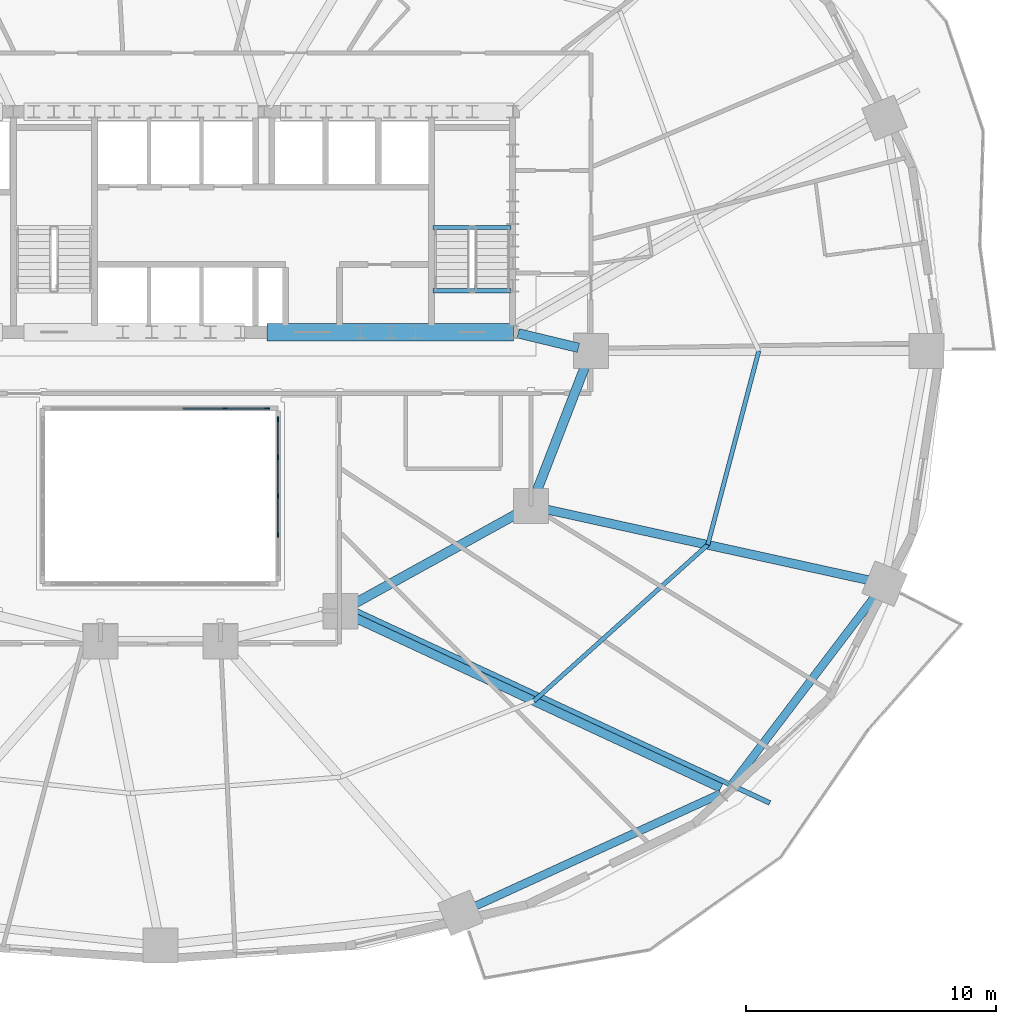
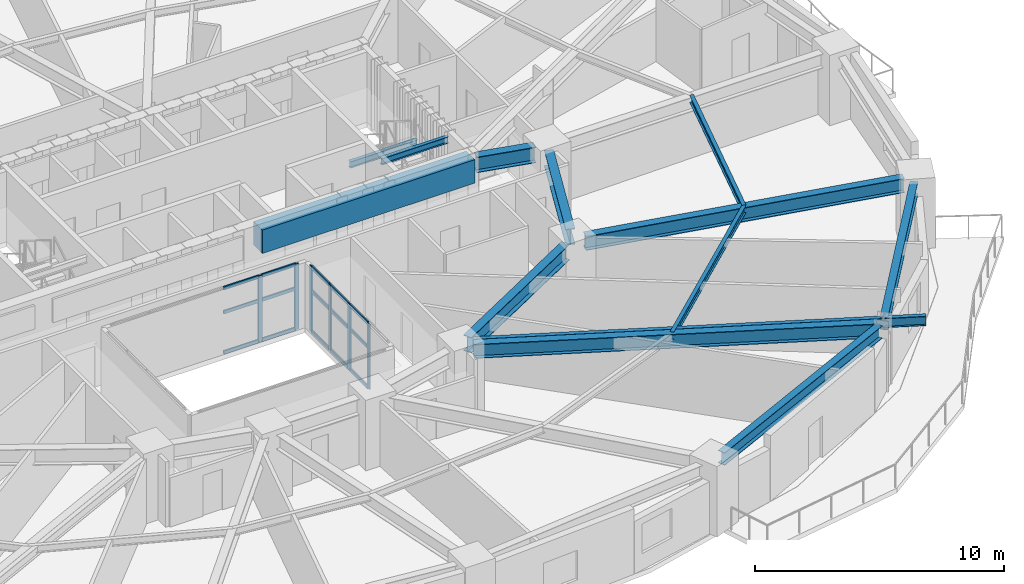
# One storey, part 6 of 17: 21 members, 13 beams, 2 elements without a shape of their own.
"""IFC4 building model written with IfcOpenShell, lengths in metres."""

from ifc_helpers import new_model, si_unit, direction, frame, origin, origin_2d, place, context, subcontext, project, spatial, rectangle, i_section, extrude, material, material_profile, profile_set, type_object, element, aggregate, save


model = new_model("IFC4")

# Units and contexts
model_context = context("Model", 3, precision=1e-05, world=origin(), true_north=direction((0.0, 1.0)))
body_context = subcontext(model_context, "Body", "Model", "MODEL_VIEW")
ifc_project = project(units=[si_unit("LENGTHUNIT", "METRE"), si_unit("AREAUNIT", "SQUARE_METRE"), si_unit("VOLUMEUNIT", "CUBIC_METRE"), si_unit("PLANEANGLEUNIT", "RADIAN"), si_unit("MASSUNIT", "GRAM", prefix="KILO")], contexts=[model_context])

# Site, building, storey
site_placement = place(None, origin())
site = spatial("IfcSite", under=ifc_project, at=site_placement, CompositionType="ELEMENT")
building_placement = place(site_placement, origin())
building = spatial("IfcBuilding", under=site, at=building_placement, Name="Haldorwick Loom Tower", CompositionType="ELEMENT")
storey_placement = place(building_placement, frame((0.0, 0.0, 34.35009765625)))
storey = spatial("IfcBuildingStorey", under=building, at=storey_placement, Name="L08", CompositionType="ELEMENT", Elevation=34.35009765625)

# Curtain wall, members
ifc_material_1 = material(Name="Thermally Broken Anodized Aluminium Curtain Wall Framing", Category="aluminium")
curtain_wall_type = type_object("IfcCurtainWallType", Name="ARC-CW-03", PredefinedType="NOTDEFINED", material=ifc_material_1)
curtain_wall_1_placement = place(storey_placement, origin())
curtain_wall_1 = element("IfcCurtainWall", 1, at=curtain_wall_1_placement, inside=storey, type_object=curtain_wall_type, Name="L08 Atrium Glazed Screen N", PredefinedType="NOTDEFINED")
ifc_material_profile_1 = material_profile(ifc_material_1, rectangle(XDim=0.06591796875, YDim=0.18505859375, at=origin_2d()), Name="ALU_MUL_66X185", Category="aluminium")
ifc_profile_set_1 = profile_set([ifc_material_profile_1], Name="Thermally Broken Anodized Aluminium Curtain Wall Framing")
member_type_1 = type_object("IfcMemberType", Name="ARC-CWM-03", PredefinedType="MULLION", material=ifc_profile_set_1)
member_1_placement = place(storey_placement, frame((38.580078125, 23.699951171875, 0.0), z_axis=(0.0, 0.0, 1.0), x_axis=(0.0, 1.0, 0.0)))
member_1 = element("IfcMember", 2, at=member_1_placement, type_object=member_type_1, Name="CW-03 mullion 5", PredefinedType="MULLION", context=body_context, shape_type="SweptSolid", body=[
    extrude(rectangle(XDim=0.06591796875, YDim=0.18505859375, at=origin_2d()), origin(), (0.0, 0.0, 1.0), 3.2099609375),
])
member_2_placement = place(storey_placement, frame((40.26708984375, 23.699951171875, 0.0), z_axis=(0.0, 0.0, 1.0), x_axis=(0.0, 1.0, 0.0)))
member_2 = element("IfcMember", 3, at=member_2_placement, type_object=member_type_1, Name="CW-03 mullion 6", PredefinedType="MULLION", context=body_context, shape_type="SweptSolid", body=[
    extrude(rectangle(XDim=0.06591796875, YDim=0.18505859375, at=origin_2d()), origin(), (0.0, 0.0, 1.0), 3.2099609375),
])

curtain_wall_2_placement = place(storey_placement, origin())
curtain_wall_2 = element("IfcCurtainWall", 4, at=curtain_wall_2_placement, inside=storey, type_object=curtain_wall_type, Name="L08 Atrium Glazed Screen E", PredefinedType="NOTDEFINED")
member_3_placement = place(storey_placement, frame((40.699951171875, 23.26708984375, 0.0), z_axis=(0.0, 0.0, 1.0), x_axis=(1.0, 0.0, 0.0)))
member_3 = element("IfcMember", 5, at=member_3_placement, type_object=member_type_1, Name="CW-03 mullion 1", PredefinedType="MULLION", context=body_context, shape_type="SweptSolid", body=[
    extrude(rectangle(XDim=0.06591796875, YDim=0.18505859375, at=origin_2d()), origin(), (0.0, 0.0, 1.0), 3.2099609375),
])
member_4_placement = place(storey_placement, frame((40.699951171875, 21.75, 0.0), z_axis=(0.0, 0.0, 1.0), x_axis=(1.0, 0.0, 0.0)))
member_4 = element("IfcMember", 6, at=member_4_placement, type_object=member_type_1, Name="CW-03 mullion 2", PredefinedType="MULLION", context=body_context, shape_type="SweptSolid", body=[
    extrude(rectangle(XDim=0.06591796875, YDim=0.18505859375, at=origin_2d()), origin(), (0.0, 0.0, 1.0), 3.2099609375),
])
member_5_placement = place(storey_placement, frame((40.699951171875, 20.199951171875, 0.0), z_axis=(0.0, 0.0, 1.0), x_axis=(1.0, 0.0, 0.0)))
member_5 = element("IfcMember", 7, at=member_5_placement, type_object=member_type_1, Name="CW-03 mullion 3", PredefinedType="MULLION", context=body_context, shape_type="SweptSolid", body=[
    extrude(rectangle(XDim=0.06591796875, YDim=0.18505859375, at=origin_2d()), origin(), (0.0, 0.0, 1.0), 3.2099609375),
])
member_6_placement = place(storey_placement, frame((40.699951171875, 18.64990234375, 0.0), z_axis=(0.0, 0.0, 1.0), x_axis=(1.0, 0.0, 0.0)))
member_6 = element("IfcMember", 8, at=member_6_placement, type_object=member_type_1, Name="CW-03 mullion 4", PredefinedType="MULLION", context=body_context, shape_type="SweptSolid", body=[
    extrude(rectangle(XDim=0.06591796875, YDim=0.18505859375, at=origin_2d()), origin(), (0.0, 0.0, 1.0), 3.2099609375),
])

# Member
ifc_material_profile_2 = material_profile(ifc_material_1, rectangle(XDim=0.06591796875, YDim=0.1650390625, at=origin_2d()), Name="ALU_TRN_66X165", Category="aluminium")
ifc_profile_set_2 = profile_set([ifc_material_profile_2], Name="Thermally Broken Anodized Aluminium Curtain Wall Framing")
member_type_2 = type_object("IfcMemberType", Name="ARC-CWT-03", PredefinedType="USERDEFINED", material=ifc_profile_set_2)
member_7_placement = place(storey_placement, frame((36.89306640625, 23.699951171875, 0.032958984375), z_axis=(1.0, 0.0, 0.0), x_axis=(0.0, 1.0, 0.0)))
member_7 = element("IfcMember", 9, at=member_7_placement, type_object=member_type_2, Name="CW-03 transom 4.1", ObjectType="TRANSOM", PredefinedType="USERDEFINED", context=body_context, shape_type="SweptSolid", body=[
    extrude(rectangle(XDim=0.06591796875, YDim=0.1650390625, at=origin_2d()), origin(), (0.0, 0.0, 1.0), 1.654052734375),
])

member_8_placement = place(storey_placement, frame((36.89306640625, 23.699951171875, 2.0), z_axis=(1.0, 0.0, 0.0), x_axis=(0.0, 1.0, 0.0)))
member_8 = element("IfcMember", 10, at=member_8_placement, type_object=member_type_2, Name="CW-03 transom 4.2", ObjectType="TRANSOM", PredefinedType="USERDEFINED", context=body_context, shape_type="SweptSolid", body=[
    extrude(rectangle(XDim=0.06591796875, YDim=0.1650390625, at=origin_2d()), origin(), (0.0, 0.0, 1.0), 1.654052734375),
])

member_9_placement = place(storey_placement, frame((36.89306640625, 23.699951171875, 3.177001953125), z_axis=(1.0, 0.0, 0.0), x_axis=(0.0, 1.0, 0.0)))
member_9 = element("IfcMember", 11, at=member_9_placement, type_object=member_type_2, Name="CW-03 transom 4.3", ObjectType="TRANSOM", PredefinedType="USERDEFINED", context=body_context, shape_type="SweptSolid", body=[
    extrude(rectangle(XDim=0.06591796875, YDim=0.1650390625, at=origin_2d()), origin(), (0.0, 0.0, 1.0), 1.654052734375),
])

member_10_placement = place(storey_placement, frame((38.613037109375, 23.699951171875, 0.032958984375), z_axis=(1.0, 0.0, 0.0), x_axis=(0.0, 1.0, 0.0)))
member_10 = element("IfcMember", 12, at=member_10_placement, type_object=member_type_2, Name="CW-03 transom 5.1", ObjectType="TRANSOM", PredefinedType="USERDEFINED", context=body_context, shape_type="SweptSolid", body=[
    extrude(rectangle(XDim=0.06591796875, YDim=0.1650390625, at=origin_2d()), origin(), (0.0, 0.0, 1.0), 1.620849609375),
])

member_11_placement = place(storey_placement, frame((38.613037109375, 23.699951171875, 2.0), z_axis=(1.0, 0.0, 0.0), x_axis=(0.0, 1.0, 0.0)))
member_11 = element("IfcMember", 13, at=member_11_placement, type_object=member_type_2, Name="CW-03 transom 5.2", ObjectType="TRANSOM", PredefinedType="USERDEFINED", context=body_context, shape_type="SweptSolid", body=[
    extrude(rectangle(XDim=0.06591796875, YDim=0.1650390625, at=origin_2d()), origin(), (0.0, 0.0, 1.0), 1.620849609375),
])

member_12_placement = place(storey_placement, frame((38.613037109375, 23.699951171875, 3.177001953125), z_axis=(1.0, 0.0, 0.0), x_axis=(0.0, 1.0, 0.0)))
member_12 = element("IfcMember", 14, at=member_12_placement, type_object=member_type_2, Name="CW-03 transom 5.3", ObjectType="TRANSOM", PredefinedType="USERDEFINED", context=body_context, shape_type="SweptSolid", body=[
    extrude(rectangle(XDim=0.06591796875, YDim=0.1650390625, at=origin_2d()), origin(), (0.0, 0.0, 1.0), 1.620849609375),
])

aggregate(curtain_wall_1, [member_1, member_2, member_7, member_8, member_9, member_10, member_11, member_12])

member_13_placement = place(storey_placement, frame((40.699951171875, 23.23388671875, 0.032958984375), z_axis=(0.0, -1.0, 0.0), x_axis=(1.0, 0.0, 0.0)))
member_13 = element("IfcMember", 15, at=member_13_placement, type_object=member_type_2, Name="CW-03 transom 1.1", ObjectType="TRANSOM", PredefinedType="USERDEFINED", context=body_context, shape_type="SweptSolid", body=[
    extrude(rectangle(XDim=0.06591796875, YDim=0.1650390625, at=origin_2d()), origin(), (0.0, 0.0, 1.0), 1.450927734375),
])

member_14_placement = place(storey_placement, frame((40.699951171875, 23.23388671875, 2.0), z_axis=(0.0, -1.0, 0.0), x_axis=(1.0, 0.0, 0.0)))
member_14 = element("IfcMember", 16, at=member_14_placement, type_object=member_type_2, Name="CW-03 transom 1.2", ObjectType="TRANSOM", PredefinedType="USERDEFINED", context=body_context, shape_type="SweptSolid", body=[
    extrude(rectangle(XDim=0.06591796875, YDim=0.1650390625, at=origin_2d()), origin(), (0.0, 0.0, 1.0), 1.450927734375),
])

member_15_placement = place(storey_placement, frame((40.699951171875, 23.23388671875, 3.177001953125), z_axis=(0.0, -1.0, 0.0), x_axis=(1.0, 0.0, 0.0)))
member_15 = element("IfcMember", 17, at=member_15_placement, type_object=member_type_2, Name="CW-03 transom 1.3", ObjectType="TRANSOM", PredefinedType="USERDEFINED", context=body_context, shape_type="SweptSolid", body=[
    extrude(rectangle(XDim=0.06591796875, YDim=0.1650390625, at=origin_2d()), origin(), (0.0, 0.0, 1.0), 1.450927734375),
])

member_16_placement = place(storey_placement, frame((40.699951171875, 21.717041015625, 0.032958984375), z_axis=(0.0, -1.0, 0.0), x_axis=(1.0, 0.0, 0.0)))
member_16 = element("IfcMember", 18, at=member_16_placement, type_object=member_type_2, Name="CW-03 transom 2.1", ObjectType="TRANSOM", PredefinedType="USERDEFINED", context=body_context, shape_type="SweptSolid", body=[
    extrude(rectangle(XDim=0.06591796875, YDim=0.1650390625, at=origin_2d()), origin(), (0.0, 0.0, 1.0), 1.484130859375),
])

member_17_placement = place(storey_placement, frame((40.699951171875, 21.717041015625, 2.0), z_axis=(0.0, -1.0, 0.0), x_axis=(1.0, 0.0, 0.0)))
member_17 = element("IfcMember", 19, at=member_17_placement, type_object=member_type_2, Name="CW-03 transom 2.2", ObjectType="TRANSOM", PredefinedType="USERDEFINED", context=body_context, shape_type="SweptSolid", body=[
    extrude(rectangle(XDim=0.06591796875, YDim=0.1650390625, at=origin_2d()), origin(), (0.0, 0.0, 1.0), 1.484130859375),
])

member_18_placement = place(storey_placement, frame((40.699951171875, 21.717041015625, 3.177001953125), z_axis=(0.0, -1.0, 0.0), x_axis=(1.0, 0.0, 0.0)))
member_18 = element("IfcMember", 20, at=member_18_placement, type_object=member_type_2, Name="CW-03 transom 2.3", ObjectType="TRANSOM", PredefinedType="USERDEFINED", context=body_context, shape_type="SweptSolid", body=[
    extrude(rectangle(XDim=0.06591796875, YDim=0.1650390625, at=origin_2d()), origin(), (0.0, 0.0, 1.0), 1.484130859375),
])

member_19_placement = place(storey_placement, frame((40.699951171875, 20.1669921875, 0.032958984375), z_axis=(0.0, -1.0, 0.0), x_axis=(1.0, 0.0, 0.0)))
member_19 = element("IfcMember", 21, at=member_19_placement, type_object=member_type_2, Name="CW-03 transom 3.1", ObjectType="TRANSOM", PredefinedType="USERDEFINED", context=body_context, shape_type="SweptSolid", body=[
    extrude(rectangle(XDim=0.06591796875, YDim=0.1650390625, at=origin_2d()), origin(), (0.0, 0.0, 1.0), 1.48388671875),
])

member_20_placement = place(storey_placement, frame((40.699951171875, 20.1669921875, 2.0), z_axis=(0.0, -1.0, 0.0), x_axis=(1.0, 0.0, 0.0)))
member_20 = element("IfcMember", 22, at=member_20_placement, type_object=member_type_2, Name="CW-03 transom 3.2", ObjectType="TRANSOM", PredefinedType="USERDEFINED", context=body_context, shape_type="SweptSolid", body=[
    extrude(rectangle(XDim=0.06591796875, YDim=0.1650390625, at=origin_2d()), origin(), (0.0, 0.0, 1.0), 1.48388671875),
])

member_21_placement = place(storey_placement, frame((40.699951171875, 20.1669921875, 3.177001953125), z_axis=(0.0, -1.0, 0.0), x_axis=(1.0, 0.0, 0.0)))
member_21 = element("IfcMember", 23, at=member_21_placement, type_object=member_type_2, Name="CW-03 transom 3.3", ObjectType="TRANSOM", PredefinedType="USERDEFINED", context=body_context, shape_type="SweptSolid", body=[
    extrude(rectangle(XDim=0.06591796875, YDim=0.1650390625, at=origin_2d()), origin(), (0.0, 0.0, 1.0), 1.48388671875),
])

aggregate(curtain_wall_2, [member_3, member_4, member_5, member_6, member_13, member_14, member_15, member_16, member_17, member_18, member_19, member_20, member_21])

# Beams
ifc_material_2 = material(Name="Steel CSA G40.21 350W", Category="steel")
ifc_material_profile_3 = material_profile(ifc_material_2, i_section(OverallWidth=0.193115234375, OverallDepth=0.466064453125, WebThickness=0.011474609375, FlangeThickness=0.01904296875, at=origin_2d()), Name="W460X97", Category="steel")
ifc_profile_set_3 = profile_set([ifc_material_profile_3], Name="Steel CSA G40.21 350W")
beam_type_1 = type_object("IfcBeamType", Name="STR-BM-BAL460", PredefinedType="BEAM", material=ifc_profile_set_3)
beam_1_placement = place(storey_placement, frame((43.78955078125, 15.634765625, 2.976806640625), z_axis=(0.906835669686, -0.42148436292, 0.0), x_axis=(0.42148436292, 0.906835669686, 0.0)))
element("IfcBeam", 24, at=beam_1_placement, inside=storey, type_object=beam_type_1, Name="L08 Continuous Back-Spanned Balcony Beam 1", PredefinedType="BEAM", context=body_context, shape_type="SweptSolid", body=[
    extrude(i_section(OverallWidth=0.193115234375, OverallDepth=0.466064453125, WebThickness=0.011474609375, FlangeThickness=0.01904296875, at=origin_2d()), origin(), (0.0, 0.0, 1.0), 18.245361328125),
])
ifc_material_3 = material(Name="Concrete C60 (60 MPa)", Category="concrete")
ifc_material_profile_4 = material_profile(ifc_material_3, rectangle(XDim=0.699951171875, YDim=1.14990234375, at=origin_2d()), Name="RC700X1150", Category="concrete")
ifc_profile_set_4 = profile_set([ifc_material_profile_4], Name="Concrete C60 (60 MPa)")
beam_type_2 = type_object("IfcBeamType", Name="STR-BM-CB1150", PredefinedType="LINTEL", material=ifc_profile_set_4)
beam_2_placement = place(storey_placement, frame((40.25, 26.75, 2.635009765625), z_axis=(1.0, 0.0, 0.0), x_axis=(0.0, 1.0, 0.0)))
element("IfcBeam", 25, at=beam_2_placement, inside=storey, type_object=beam_type_2, Name="L08 Core Coupling Beam CB-S3", PredefinedType="LINTEL", context=body_context, shape_type="SweptSolid", body=[
    extrude(rectangle(XDim=0.699951171875, YDim=1.14990234375, at=origin_2d()), origin(), (0.0, 0.0, 1.0), 9.85009765625),
])
ifc_material_profile_5 = material_profile(ifc_material_2, i_section(OverallWidth=0.172119140625, OverallDepth=0.35791015625, WebThickness=0.0078125, FlangeThickness=0.01318359375, at=origin_2d()), Name="W360X57", Category="steel")
ifc_profile_set_5 = profile_set([ifc_material_profile_5], Name="Steel CSA G40.21 350W")
beam_type_3 = type_object("IfcBeamType", Name="STR-BM-J360", PredefinedType="JOIST", material=ifc_profile_set_5)
beam_3_placement = place(storey_placement, frame((50.9150390625, 12.01416015625, 3.031005859375), z_axis=(0.743981830112, 0.668199847698, 0.0), x_axis=(-0.668199847698, 0.743981830112, 0.0)))
element("IfcBeam", 26, at=beam_3_placement, inside=storey, type_object=beam_type_3, Name="L08 Mid-Bay Secondary Joist 15", PredefinedType="JOIST", context=body_context, shape_type="SweptSolid", body=[
    extrude(i_section(OverallWidth=0.172119140625, OverallDepth=0.35791015625, WebThickness=0.0078125, FlangeThickness=0.01318359375, at=origin_2d()), origin(), (0.0, 0.0, 1.0), 9.3330078125),
])
beam_4_placement = place(storey_placement, frame((57.858642578125, 18.25048828125, 3.031005859375), z_axis=(0.2544888003, 0.967075721193, 0.0), x_axis=(-0.967075721193, 0.2544888003, 0.0)))
element("IfcBeam", 27, at=beam_4_placement, inside=storey, type_object=beam_type_3, Name="L08 Mid-Bay Secondary Joist 16", PredefinedType="JOIST", context=body_context, shape_type="SweptSolid", body=[
    extrude(i_section(OverallWidth=0.172119140625, OverallDepth=0.35791015625, WebThickness=0.0078125, FlangeThickness=0.01318359375, at=origin_2d()), origin(), (0.0, 0.0, 1.0), 8.013427734375),
])
ifc_material_profile_6 = material_profile(ifc_material_2, i_section(OverallWidth=0.324951171875, OverallDepth=0.615966796875, WebThickness=0.013916015625, FlangeThickness=0.021484375, at=origin_2d()), Name="W610X174", Category="steel")
ifc_profile_set_6 = profile_set([ifc_material_profile_6], Name="Steel CSA G40.21 350W")
beam_type_4 = type_object("IfcBeamType", Name="STR-BM-SP610", PredefinedType="SPANDREL", material=ifc_profile_set_6)
beam_5_placement = place(storey_placement, frame((48.45068359375, 3.76611328125, 2.90185546875), z_axis=(0.909173805321, 0.416416848504, 0.0), x_axis=(-0.416416848504, 0.909173805321, 0.0)))
element("IfcBeam", 28, at=beam_5_placement, inside=storey, type_object=beam_type_4, Name="L08 Perimeter Spandrel 14", PredefinedType="SPANDREL", context=body_context, shape_type="SweptSolid", body=[
    extrude(i_section(OverallWidth=0.324951171875, OverallDepth=0.615966796875, WebThickness=0.013916015625, FlangeThickness=0.021484375, at=origin_2d()), origin(), (0.0, 0.0, 1.0), 10.92138671875),
])
beam_6_placement = place(storey_placement, frame((58.796630859375, 8.647216796875, 2.90185546875), z_axis=(0.605084557744, 0.796161213562, 0.0), x_axis=(-0.796161213562, 0.605084557744, 0.0)))
element("IfcBeam", 29, at=beam_6_placement, inside=storey, type_object=beam_type_4, Name="L08 Perimeter Spandrel 15", PredefinedType="SPANDREL", context=body_context, shape_type="SweptSolid", body=[
    extrude(i_section(OverallWidth=0.324951171875, OverallDepth=0.615966796875, WebThickness=0.013916015625, FlangeThickness=0.021484375, at=origin_2d()), origin(), (0.0, 0.0, 1.0), 9.595703125),
])
ifc_material_profile_7 = material_profile(ifc_material_2, i_section(OverallWidth=0.166015625, OverallDepth=0.31298828125, WebThickness=0.006591796875, FlangeThickness=0.01123046875, at=origin_2d()), Name="W310X45", Category="steel")
ifc_profile_set_7 = profile_set([ifc_material_profile_7], Name="Steel CSA G40.21 350W")
beam_type_5 = type_object("IfcBeamType", Name="STR-BM-STRM", PredefinedType="BEAM", material=ifc_profile_set_7)
for number, where, z_axis, x_axis, name in (
    (30, (46.889892578125, 28.39990234375, 3.053466796875), (1.0, 0.0, 0.0), (0.0, 1.0, 0.0), "L08 Stair ST-02 Landing Edge Trimmer"),
    (31, (46.889892578125, 30.919921875, 1.368408203125), (1.0, 0.0, 0.0), (0.0, 1.0, 0.0), "L08 Stair ST-02 Half-Landing Trimmer 1"),
):
    element("IfcBeam", number, at=place(storey_placement, frame(where, z_axis=z_axis, x_axis=x_axis)), inside=storey, type_object=beam_type_5, Name=name, PredefinedType="BEAM", context=body_context, shape_type="SweptSolid", body=[
        extrude(i_section(OverallWidth=0.166015625, OverallDepth=0.31298828125, WebThickness=0.006591796875, FlangeThickness=0.01123046875, at=origin_2d()), origin(), (0.0, 0.0, 1.0), 3.1201171875),
    ])
ifc_material_profile_8 = material_profile(ifc_material_2, i_section(OverallWidth=0.35498046875, OverallDepth=0.695068359375, WebThickness=0.015380859375, FlangeThickness=0.02490234375, at=origin_2d()), Name="W690X217", Category="steel")
ifc_profile_set_8 = profile_set([ifc_material_profile_8], Name="Steel CSA G40.21 350W")
beam_type_6 = type_object("IfcBeamType", Name="STR-BM-W690", PredefinedType="BEAM", material=ifc_profile_set_8)
beam_7_placement = place(storey_placement, frame((43.671630859375, 15.380859375, 2.8623046875), z_axis=(0.90683498532, -0.421485835349, 0.0), x_axis=(0.421485835349, 0.90683498532, 0.0)))
element("IfcBeam", 32, at=beam_7_placement, inside=storey, type_object=beam_type_6, Name="L08 Radial Floor Girder 15", PredefinedType="BEAM", context=body_context, shape_type="SweptSolid", body=[
    extrude(i_section(OverallWidth=0.35498046875, OverallDepth=0.695068359375, WebThickness=0.015380859375, FlangeThickness=0.02490234375, at=origin_2d()), origin(), (0.0, 0.0, 1.0), 16.220458984375),
])
beam_8_placement = place(storey_placement, frame((51.307861328125, 19.6884765625, 2.8623046875), z_axis=(0.976740159434, -0.214426353203, 0.0), x_axis=(0.214426353203, 0.976740159434, 0.0)))
element("IfcBeam", 33, at=beam_8_placement, inside=storey, type_object=beam_type_6, Name="L08 Radial Floor Girder 16", PredefinedType="BEAM", context=body_context, shape_type="SweptSolid", body=[
    extrude(i_section(OverallWidth=0.35498046875, OverallDepth=0.695068359375, WebThickness=0.015380859375, FlangeThickness=0.02490234375, at=origin_2d()), origin(), (0.0, 0.0, 1.0), 13.41357421875),
])
ifc_material_profile_9 = material_profile(ifc_material_2, i_section(OverallWidth=0.381103515625, OverallDepth=0.77294921875, WebThickness=0.0166015625, FlangeThickness=0.027587890625, at=origin_2d()), Name="W760X257", Category="steel")
ifc_profile_set_9 = profile_set([ifc_material_profile_9], Name="Steel CSA G40.21 350W")
beam_type_7 = type_object("IfcBeamType", Name="STR-BM-W760", PredefinedType="BEAM", material=ifc_profile_set_9)
beam_9_placement = place(storey_placement, frame((50.288818359375, 26.697509765625, 2.823486328125), z_axis=(0.97247055837, -0.233025777764, 0.0), x_axis=(0.233025777764, 0.97247055837, 0.0)))
element("IfcBeam", 34, at=beam_9_placement, inside=storey, type_object=beam_type_7, Name="L08 Inner Ring Girder 1", PredefinedType="BEAM", context=body_context, shape_type="SweptSolid", body=[
    extrude(i_section(OverallWidth=0.381103515625, OverallDepth=0.77294921875, WebThickness=0.0166015625, FlangeThickness=0.027587890625, at=origin_2d()), origin(), (0.0, 0.0, 1.0), 2.4736328125),
])
beam_10_placement = place(storey_placement, frame((53.01220703125, 25.51513671875, 2.823486328125), z_axis=(-0.360964792353, -0.93257944363, 0.0), x_axis=(0.93257944363, -0.360964792353, 0.0)))
element("IfcBeam", 35, at=beam_10_placement, inside=storey, type_object=beam_type_7, Name="L08 Inner Ring Girder 2", PredefinedType="BEAM", context=body_context, shape_type="SweptSolid", body=[
    extrude(i_section(OverallWidth=0.381103515625, OverallDepth=0.77294921875, WebThickness=0.0166015625, FlangeThickness=0.027587890625, at=origin_2d()), origin(), (0.0, 0.0, 1.0), 5.6083984375),
])
beam_11_placement = place(storey_placement, frame((50.344970703125, 19.548583984375, 2.823486328125), z_axis=(-0.875244382146, -0.483680960471, 0.0), x_axis=(0.483680960471, -0.875244382146, 0.0)))
element("IfcBeam", 36, at=beam_11_placement, inside=storey, type_object=beam_type_7, Name="L08 Inner Ring Girder 3", PredefinedType="BEAM", context=body_context, shape_type="SweptSolid", body=[
    extrude(i_section(OverallWidth=0.381103515625, OverallDepth=0.77294921875, WebThickness=0.0166015625, FlangeThickness=0.027587890625, at=origin_2d()), origin(), (0.0, 0.0, 1.0), 7.6435546875),
])

save(model, "model.ifc")
